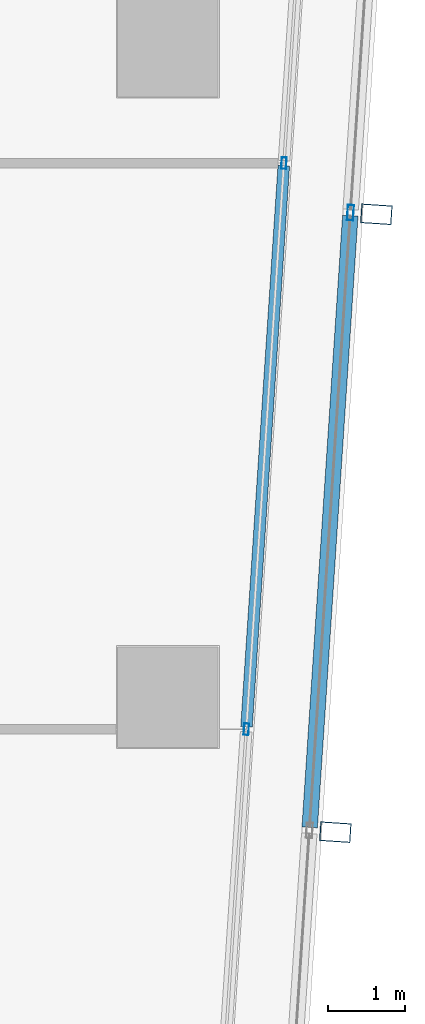
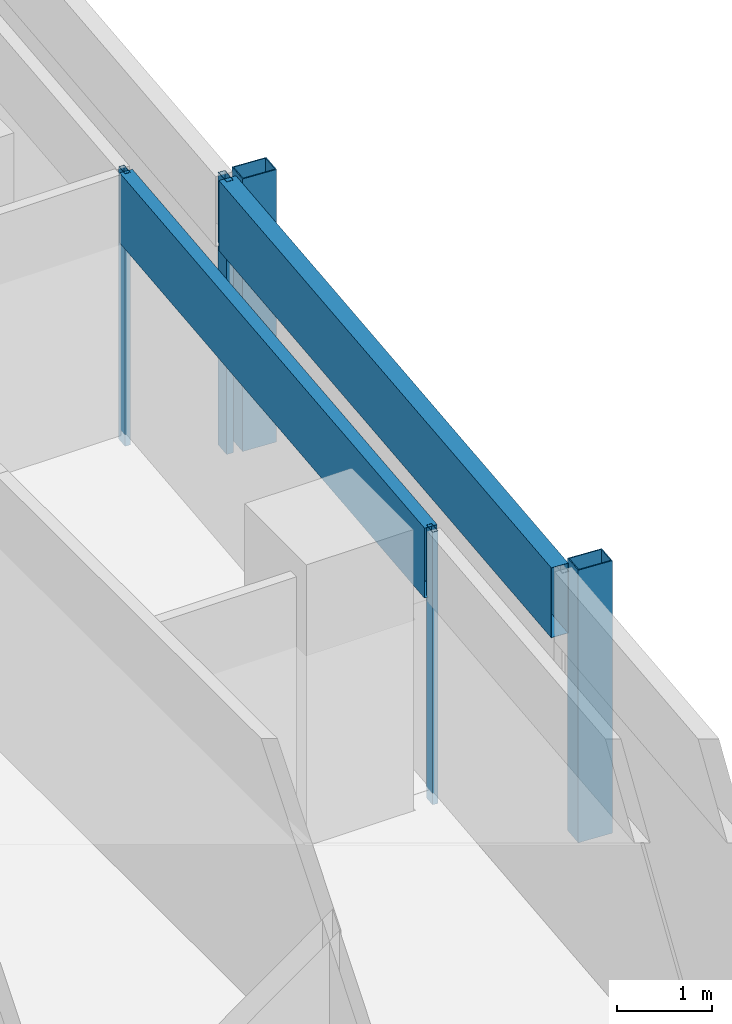
# One storey, part 10 of 28: 7 members, 2 elements without a shape of their own.
"""IFC4 building model written with IfcOpenShell, lengths in metres."""

from ifc_helpers import new_model, si_unit, direction, frame, origin, origin_2d, place, context, subcontext, project, spatial, hollow_rectangle, extrude, material, material_profile, profile_set, type_object, element, aggregate, save


model = new_model("IFC4")

# Units and contexts
model_context = context("Model", 3, precision=1e-05, world=origin(), true_north=direction((0.0, 1.0)))
body_context = subcontext(model_context, "Body", "Model", "MODEL_VIEW")
ifc_project = project(units=[si_unit("LENGTHUNIT", "METRE"), si_unit("AREAUNIT", "SQUARE_METRE"), si_unit("VOLUMEUNIT", "CUBIC_METRE"), si_unit("PLANEANGLEUNIT", "RADIAN"), si_unit("MASSUNIT", "GRAM", prefix="KILO")], contexts=[model_context])

# Site, building, storey
site_placement = place(None, origin())
site = spatial("IfcSite", under=ifc_project, at=site_placement, CompositionType="ELEMENT")
building_placement = place(site_placement, origin())
building = spatial("IfcBuilding", under=site, at=building_placement, Name="Rekha Terrace Tower", CompositionType="ELEMENT")
storey_placement = place(building_placement, frame((0.0, 0.0, 268.85009765625)))
storey = spatial("IfcBuildingStorey", under=building, at=storey_placement, Name="L68", CompositionType="ELEMENT", Elevation=268.85009765625)

# Curtain wall, members
ifc_material_1 = material(Name="Aluminium framing", Category="aluminium")
curtain_wall_type_1 = type_object("IfcCurtainWallType", Name="CW2 double skin outer glazing", PredefinedType="USERDEFINED", material=ifc_material_1)
curtain_wall_1_placement = place(storey_placement, origin())
curtain_wall_1 = element("IfcCurtainWall", 1, at=curtain_wall_1_placement, inside=storey, type_object=curtain_wall_type_1, Name="CW2 double skin outer glazing", ObjectType="DOUBLE SKIN OUTER GLAZING", PredefinedType="USERDEFINED")
ifc_material_2 = material(Name="Steel S355 with fluorocarbon finish", Category="steel")
ifc_material_profile_1 = material_profile(ifc_material_2, hollow_rectangle(XDim=0.25, YDim=0.39990234375, WallThickness=0.012451171875, at=origin_2d()), Name="RHS400x250x12.5")
ifc_profile_set_1 = profile_set([ifc_material_profile_1], Name="Steel S355 with fluorocarbon finish")
member_type_1 = type_object("IfcMemberType", Name="BL1 facade blade RHS 400 x 250", PredefinedType="USERDEFINED", material=ifc_profile_set_1)
member_1_placement = place(storey_placement, frame((60.9638671875, 23.45751953125, 0.0), z_axis=(0.0, 0.0, 1.0), x_axis=(0.066272158908, 0.99780158396, 0.0)))
member_1 = element("IfcMember", 2, at=member_1_placement, type_object=member_type_1, Name="Facade blade", ObjectType="FACADE BLADE", PredefinedType="USERDEFINED", context=body_context, shape_type="SweptSolid", body=[
    extrude(hollow_rectangle(XDim=0.25, YDim=0.39990234375, WallThickness=0.012451171875, at=origin_2d()), origin(), (0.0, 0.0, 1.0), 3.5),
])
member_2_placement = place(storey_placement, frame((61.49365234375, 31.435302734375, 0.0), z_axis=(0.0, 0.0, 1.0), x_axis=(0.066272158908, 0.99780158396, 0.0)))
member_2 = element("IfcMember", 3, at=member_2_placement, type_object=member_type_1, Name="Facade blade", ObjectType="FACADE BLADE", PredefinedType="USERDEFINED", context=body_context, shape_type="SweptSolid", body=[
    extrude(hollow_rectangle(XDim=0.25, YDim=0.39990234375, WallThickness=0.012451171875, at=origin_2d()), origin(), (0.0, 0.0, 1.0), 3.5),
])

curtain_wall_type_2 = type_object("IfcCurtainWallType", Name="CW1 double skin inner glazing", PredefinedType="USERDEFINED", material=ifc_material_1)
curtain_wall_2_placement = place(storey_placement, origin())
curtain_wall_2 = element("IfcCurtainWall", 4, at=curtain_wall_2_placement, inside=storey, type_object=curtain_wall_type_2, Name="CW1 double skin inner glazing", ObjectType="DOUBLE SKIN INNER GLAZING", PredefinedType="USERDEFINED")
ifc_material_3 = material(Name="Aluminium mullion section", Category="aluminium")
ifc_material_profile_2 = material_profile(ifc_material_3, hollow_rectangle(XDim=0.06494140625, YDim=0.14990234375, WallThickness=0.00390625, at=origin_2d()), Name="AL RHS 65x150")
ifc_profile_set_2 = profile_set([ifc_material_profile_2], Name="Aluminium mullion section")
member_type_2 = type_object("IfcMemberType", Name="CW1 mullion RHS 65 x 150", PredefinedType="MULLION", material=ifc_profile_set_2)
member_3_placement = place(storey_placement, frame((59.814453125, 24.78662109375, 0.0), z_axis=(0.0, 0.0, 1.0), x_axis=(-0.997801621769, 0.066271589649, 0.0)))
member_3 = element("IfcMember", 5, at=member_3_placement, type_object=member_type_2, Name="CW1 mullion 2", PredefinedType="MULLION", context=body_context, shape_type="SweptSolid", body=[
    extrude(hollow_rectangle(XDim=0.06494140625, YDim=0.14990234375, WallThickness=0.00390625, at=origin_2d()), origin(), (0.0, 0.0, 1.0), 3.5),
])
member_4_placement = place(storey_placement, frame((60.300048828125, 32.0966796875, 0.0), z_axis=(0.0, 0.0, 1.0), x_axis=(-0.997801621769, 0.066271589649, 0.0)))
member_4 = element("IfcMember", 6, at=member_4_placement, type_object=member_type_2, Name="CW1 mullion 3", PredefinedType="MULLION", context=body_context, shape_type="SweptSolid", body=[
    extrude(hollow_rectangle(XDim=0.06494140625, YDim=0.14990234375, WallThickness=0.00390625, at=origin_2d()), origin(), (0.0, 0.0, 1.0), 3.5),
])
ifc_material_4 = material(Name="Insulated aluminium spandrel box", Category="aluminium")
ifc_material_profile_3 = material_profile(ifc_material_4, hollow_rectangle(XDim=0.14990234375, YDim=0.89990234375, WallThickness=0.0029296875, at=origin_2d()), Name="AL SPANDREL BOX 150x900")
ifc_profile_set_3 = profile_set([ifc_material_profile_3], Name="Insulated aluminium spandrel box")
member_type_3 = type_object("IfcMemberType", Name="CW1 spandrel transom 150 x 900", PredefinedType="USERDEFINED", material=ifc_profile_set_3)
member_5_placement = place(storey_placement, frame((59.816650390625, 24.81884765625, 3.0498046875), z_axis=(0.066266851431, 0.997801936459, 0.0), x_axis=(-0.997801936459, 0.066266851431, 0.0)))
member_5 = element("IfcMember", 7, at=member_5_placement, type_object=member_type_3, Name="CW1 spandrel transom 2", ObjectType="TRANSOM", PredefinedType="USERDEFINED", context=body_context, shape_type="SweptSolid", body=[
    extrude(hollow_rectangle(XDim=0.14990234375, YDim=0.89990234375, WallThickness=0.0029296875, at=origin_2d()), origin(), (0.0, 0.0, 1.0), 7.261474609375),
])
aggregate(curtain_wall_2, [member_3, member_4, member_5])

# Member
ifc_material_profile_4 = material_profile(ifc_material_3, hollow_rectangle(XDim=0.080078125, YDim=0.199951171875, WallThickness=0.00390625, at=origin_2d()), Name="AL RHS 80x200")
ifc_profile_set_4 = profile_set([ifc_material_profile_4], Name="Aluminium mullion section")
member_type_4 = type_object("IfcMemberType", Name="CW2 mullion RHS 80 x 200", PredefinedType="MULLION", material=ifc_profile_set_4)
member_6_placement = place(storey_placement, frame((61.159423828125, 31.457275390625, 0.0), z_axis=(0.0, 0.0, 1.0), x_axis=(-0.997801621769, 0.066271589649, 0.0)))
member_6 = element("IfcMember", 8, at=member_6_placement, type_object=member_type_4, Name="CW2 mullion 3", PredefinedType="MULLION", context=body_context, shape_type="SweptSolid", body=[
    extrude(hollow_rectangle(XDim=0.080078125, YDim=0.199951171875, WallThickness=0.00390625, at=origin_2d()), origin(), (0.0, 0.0, 1.0), 3.5),
])

ifc_material_profile_5 = material_profile(ifc_material_4, hollow_rectangle(XDim=0.199951171875, YDim=0.89990234375, WallThickness=0.0029296875, at=origin_2d()), Name="AL SPANDREL BOX 200x900")
ifc_profile_set_5 = profile_set([ifc_material_profile_5], Name="Insulated aluminium spandrel box")
member_type_5 = type_object("IfcMemberType", Name="CW2 spandrel transom 200 x 900", PredefinedType="USERDEFINED", material=ifc_profile_set_5)
member_7_placement = place(storey_placement, frame((60.63232421875, 23.51953125, 3.0498046875), z_axis=(0.066252876442, 0.997802864479, 0.0), x_axis=(-0.997802864479, 0.066252876442, 0.0)))
member_7 = element("IfcMember", 9, at=member_7_placement, type_object=member_type_5, Name="CW2 spandrel transom 2", ObjectType="TRANSOM", PredefinedType="USERDEFINED", context=body_context, shape_type="SweptSolid", body=[
    extrude(hollow_rectangle(XDim=0.199951171875, YDim=0.89990234375, WallThickness=0.0029296875, at=origin_2d()), origin(), (0.0, 0.0, 1.0), 7.915283203125),
])

aggregate(curtain_wall_1, [member_6, member_7, member_1, member_2])

save(model, "model.ifc")
